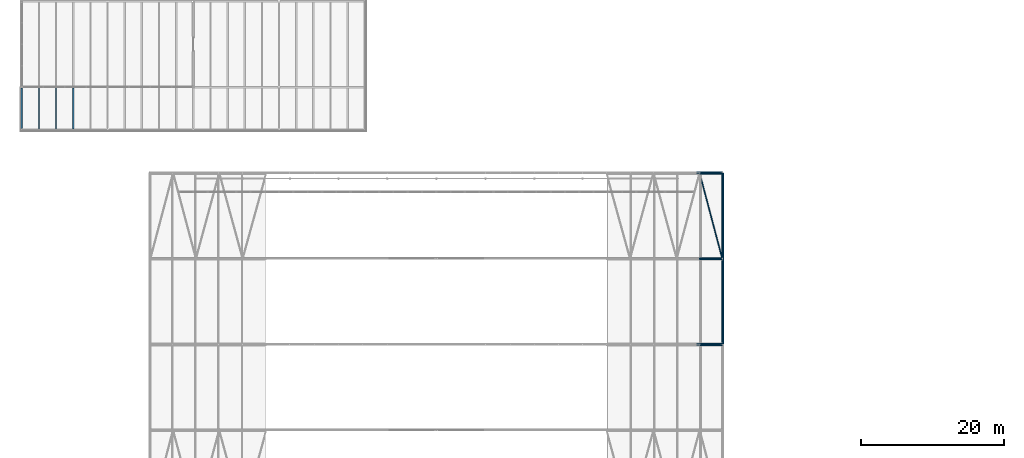
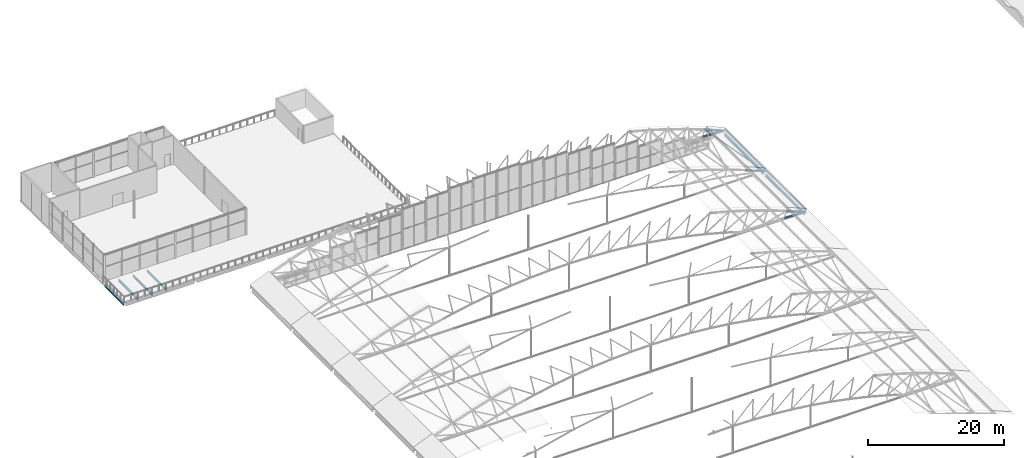
# One storey, part 201 of 321: 8 members, 6 beams.
"""IFC4 building model written with IfcOpenShell, lengths in metres."""

from ifc_helpers import new_model, si_unit, direction, frame, origin, origin_2d, place, context, subcontext, project, spatial, hollow_circle, i_section, extrude, material, material_profile, profile_set, type_object, element, save


model = new_model("IFC4")

# Units and contexts
model_context = context("Model", 3, precision=1e-05, world=origin(), true_north=direction((0.0, 1.0)))
body_context = subcontext(model_context, "Body", "Model", "MODEL_VIEW")
ifc_project = project(units=[si_unit("LENGTHUNIT", "METRE"), si_unit("AREAUNIT", "SQUARE_METRE"), si_unit("VOLUMEUNIT", "CUBIC_METRE"), si_unit("PLANEANGLEUNIT", "RADIAN"), si_unit("MASSUNIT", "GRAM", prefix="KILO")], contexts=[model_context])

# Site, building, storey
site_placement = place(None, origin())
site = spatial("IfcSite", under=ifc_project, at=site_placement, CompositionType="ELEMENT")
building_placement = place(site_placement, origin())
building = spatial("IfcBuilding", under=site, at=building_placement, Name="Ravi Spectrum Wholesale Market", CompositionType="ELEMENT")
storey_placement = place(building_placement, frame((0.0, 0.0, 10.800048828125)))
storey = spatial("IfcBuildingStorey", under=building, at=storey_placement, Name="L02", CompositionType="ELEMENT", Elevation=10.800048828125)

# Members
ifc_material_1 = material(Name="Steel S355", Category="steel")
ifc_material_profile_1 = material_profile(ifc_material_1, hollow_circle(Radius=0.096923828125, WallThickness=0.00634765625, at=origin_2d()))
ifc_profile_set_1 = profile_set([ifc_material_profile_1], Name="Steel S355")
member_type_1 = type_object("IfcMemberType", Name="CHS 193.7x6.3 brace", PredefinedType="BRACE", material=ifc_profile_set_1)
member_1_placement = place(storey_placement, frame((106.836181640625, 198.0, 1.325439453125), z_axis=(0.254316239018, -0.961476177233, -0.104339883003), x_axis=(0.966753007225, 0.255711992329, 0.0)))
element("IfcMember", 1, at=member_1_placement, inside=storey, type_object=member_type_1, Name="H1-MB-L02-1727", PredefinedType="BRACE", context=body_context, shape_type="SweptSolid", body=[
    extrude(hollow_circle(Radius=0.096923828125, WallThickness=0.00634765625, at=origin_2d()), origin(), (0.0, 0.0, 1.0), 12.480712890625),
])
ifc_material_2 = material(Name="Steel S355", Category="steel")
ifc_material_profile_2 = material_profile(ifc_material_2, hollow_circle(Radius=0.177734375, WallThickness=0.012451171875, at=origin_2d()))
ifc_profile_set_2 = profile_set([ifc_material_profile_2], Name="Steel S355")
member_type_2 = type_object("IfcMemberType", Name="CHS 355.6x12.5 chord", PredefinedType="CHORD", material=ifc_profile_set_2)
member_2_placement = place(storey_placement, frame((106.3916015625, 174.0, 0.2109375), z_axis=(0.998295734367, 0.0, -0.058357747936), x_axis=(0.0, 1.0, 0.0)))
element("IfcMember", 2, at=member_2_placement, inside=storey, type_object=member_type_2, Name="H1-MB-L02-1020", PredefinedType="CHORD", context=body_context, shape_type="SweptSolid", body=[
    extrude(hollow_circle(Radius=0.177734375, WallThickness=0.012451171875, at=origin_2d()), origin(), (0.0, 0.0, 1.0), 3.614501953125),
])
member_3_placement = place(storey_placement, frame((106.845458984375, 186.0, 1.34912109375), z_axis=(0.922323660423, 0.0, -0.386418251929), x_axis=(0.0, 1.0, 0.0)))
element("IfcMember", 3, at=member_3_placement, inside=storey, type_object=member_type_2, Name="H1-MB-L02-1095", PredefinedType="CHORD", context=body_context, shape_type="SweptSolid", body=[
    extrude(hollow_circle(Radius=0.177734375, WallThickness=0.012451171875, at=origin_2d()), origin(), (0.0, 0.0, 1.0), 3.431396484375),
])
member_4_placement = place(storey_placement, frame((106.3916015625, 198.0, 0.2109375), z_axis=(0.998295734367, 0.0, -0.058357747936), x_axis=(0.0, 1.0, 0.0)))
element("IfcMember", 4, at=member_4_placement, inside=storey, type_object=member_type_2, Name="H1-MB-L02-1182", PredefinedType="CHORD", context=body_context, shape_type="SweptSolid", body=[
    extrude(hollow_circle(Radius=0.177734375, WallThickness=0.012451171875, at=origin_2d()), origin(), (0.0, 0.0, 1.0), 3.614501953125),
])
ifc_material_3 = material(Name="Steel S355", Category="steel")
ifc_material_profile_3 = material_profile(ifc_material_3, hollow_circle(Radius=0.203125, WallThickness=0.01611328125, at=origin_2d()))
ifc_profile_set_3 = profile_set([ifc_material_profile_3], Name="Steel S355")
member_type_3 = type_object("IfcMemberType", Name="CHS 406.4x16 chord", PredefinedType="CHORD", material=ifc_profile_set_3)
for number, where, z_axis, x_axis, name in (
    (5, (106.836181640625, 174.0, 1.325439453125), (0.922331882778, 0.0, -0.386398625789), (0.0, 1.0, 0.0), "H1-MB-L02-996"),
    (6, (106.836181640625, 198.0, 1.325439453125), (0.922331882778, 0.0, -0.386398625789), (0.0, 1.0, 0.0), "H1-MB-L02-1158"),
):
    element("IfcMember", number, at=place(storey_placement, frame(where, z_axis=z_axis, x_axis=x_axis)), inside=storey, type_object=member_type_3, Name=name, PredefinedType="CHORD", context=body_context, shape_type="SweptSolid", body=[
        extrude(hollow_circle(Radius=0.203125, WallThickness=0.01611328125, at=origin_2d()), origin(), (0.0, 0.0, 1.0), 3.43017578125),
    ])
ifc_material_4 = material(Name="Steel S355", Category="steel")
ifc_material_profile_4 = material_profile(ifc_material_4, i_section(OverallWidth=0.135009765625, OverallDepth=0.27001953125, WebThickness=0.006591796875, FlangeThickness=0.01025390625, at=origin_2d()))
ifc_profile_set_4 = profile_set([ifc_material_profile_4], Name="Steel S355")
member_type_4 = type_object("IfcMemberType", Name="IPE 270 purlin", PredefinedType="PURLIN", material=ifc_profile_set_4)
for number, where, z_axis, x_axis, name in (
    (7, (110.135986328125, 174.0, 0.3095703125), (0.0, 1.0, 0.0), (-0.915525334521, 0.0, 0.402260316027), "H1-MB-L02-1558"),
    (8, (110.135986328125, 186.0, 0.3095703125), (0.0, 1.0, 0.0), (-0.915525334521, 0.0, 0.402260316027), "H1-MB-L02-1583"),
):
    element("IfcMember", number, at=place(storey_placement, frame(where, z_axis=z_axis, x_axis=x_axis)), inside=storey, type_object=member_type_4, Name=name, PredefinedType="PURLIN", context=body_context, shape_type="SweptSolid", body=[
        extrude(i_section(OverallWidth=0.135009765625, OverallDepth=0.27001953125, WebThickness=0.006591796875, FlangeThickness=0.01025390625, at=origin_2d()), origin(), (0.0, 0.0, 1.0), 12.0),
    ])

# Beams
ifc_material_5 = material(Name="Steel S355", Category="steel")
ifc_material_profile_5 = material_profile(ifc_material_5, i_section(OverallWidth=0.179931640625, OverallDepth=0.39990234375, WebThickness=0.008544921875, FlangeThickness=0.013427734375, at=origin_2d()))
ifc_profile_set_5 = profile_set([ifc_material_profile_5], Name="Steel S355")
beam_type_1 = type_object("IfcBeamType", Name="IPE 400 girder", PredefinedType="BEAM", material=ifc_profile_set_5)
for number, where, z_axis, x_axis, name in (
    (9, (14.39990234375, 204.10009765625, -0.449951171875), (0.0, 1.0, 0.0), (-1.0, 0.0, 0.0), "OF-BM-L02-033"),
    (10, (16.800048828125, 204.10009765625, -0.449951171875), (0.0, 1.0, 0.0), (-1.0, 0.0, 0.0), "OF-BM-L02-034"),
    (11, (19.199951171875, 204.10009765625, -0.449951171875), (0.0, 1.0, 0.0), (-1.0, 0.0, 0.0), "OF-BM-L02-035"),
):
    element("IfcBeam", number, at=place(storey_placement, frame(where, z_axis=z_axis, x_axis=x_axis)), inside=storey, type_object=beam_type_1, Name=name, PredefinedType="BEAM", context=body_context, shape_type="SweptSolid", body=[
        extrude(i_section(OverallWidth=0.179931640625, OverallDepth=0.39990234375, WebThickness=0.008544921875, FlangeThickness=0.013427734375, at=origin_2d()), origin(), (0.0, 0.0, 1.0), 5.7998046875),
    ])
ifc_material_6 = material(Name="Steel S355", Category="steel")
ifc_material_profile_6 = material_profile(ifc_material_6, i_section(OverallWidth=0.18994140625, OverallDepth=0.449951171875, WebThickness=0.009521484375, FlangeThickness=0.0146484375, at=origin_2d()))
ifc_profile_set_6 = profile_set([ifc_material_profile_6], Name="Steel S355")
beam_type_2 = type_object("IfcBeamType", Name="IPE 450 girder", PredefinedType="BEAM", material=ifc_profile_set_6)
beam_placement = place(storey_placement, frame((12.0, 204.177734375, -0.47509765625), z_axis=(0.0, 1.0, 0.0), x_axis=(-1.0, 0.0, 0.0)))
element("IfcBeam", 12, at=beam_placement, inside=storey, type_object=beam_type_2, Name="OF-BM-L02-018", PredefinedType="BEAM", context=body_context, shape_type="SweptSolid", body=[
    extrude(i_section(OverallWidth=0.18994140625, OverallDepth=0.449951171875, WebThickness=0.009521484375, FlangeThickness=0.0146484375, at=origin_2d()), origin(), (0.0, 0.0, 1.0), 5.67236328125),
])
ifc_material_7 = material(Name="Steel S355", Category="steel")
ifc_material_profile_7 = material_profile(ifc_material_7, i_section(OverallWidth=0.199951171875, OverallDepth=0.5, WebThickness=0.01025390625, FlangeThickness=0.01611328125, at=origin_2d()))
ifc_profile_set_7 = profile_set([ifc_material_profile_7], Name="Steel S355")
beam_type_3 = type_object("IfcBeamType", Name="IPE 500 girder", PredefinedType="BEAM", material=ifc_profile_set_7)
for number, where, z_axis, x_axis, name in (
    (13, (110.0, 174.25390625, -0.449951171875), (0.0, 1.0, 0.0), (-1.0, 0.0, 0.0), "H1-BM-L02-027"),
    (14, (110.0, 186.25390625, -0.449951171875), (0.0, 1.0, 0.0), (-1.0, 0.0, 0.0), "H1-BM-L02-028"),
):
    element("IfcBeam", number, at=place(storey_placement, frame(where, z_axis=z_axis, x_axis=x_axis)), inside=storey, type_object=beam_type_3, Name=name, PredefinedType="BEAM", context=body_context, shape_type="SweptSolid", body=[
        extrude(i_section(OverallWidth=0.199951171875, OverallDepth=0.5, WebThickness=0.01025390625, FlangeThickness=0.01611328125, at=origin_2d()), origin(), (0.0, 0.0, 1.0), 11.4921875),
    ])

save(model, "model.ifc")
